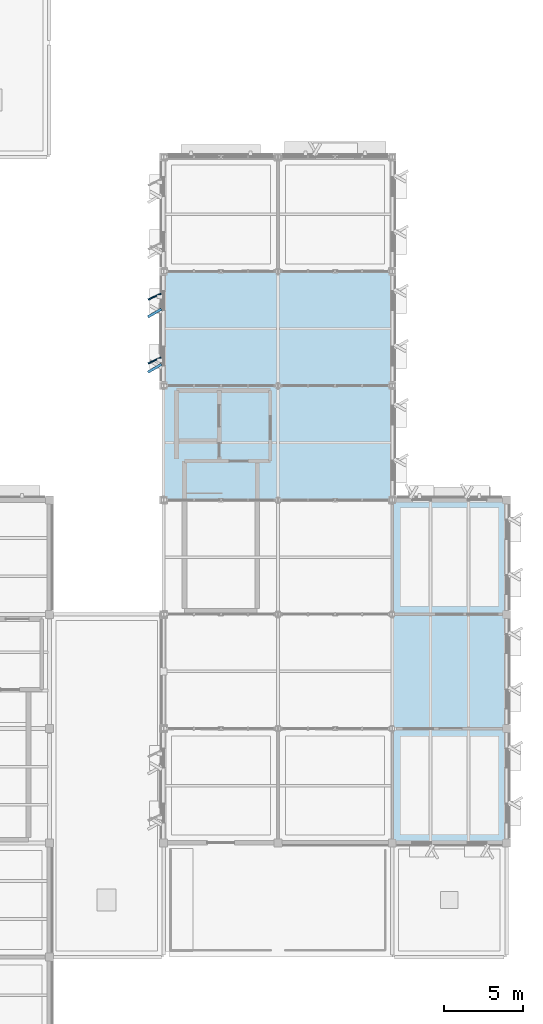
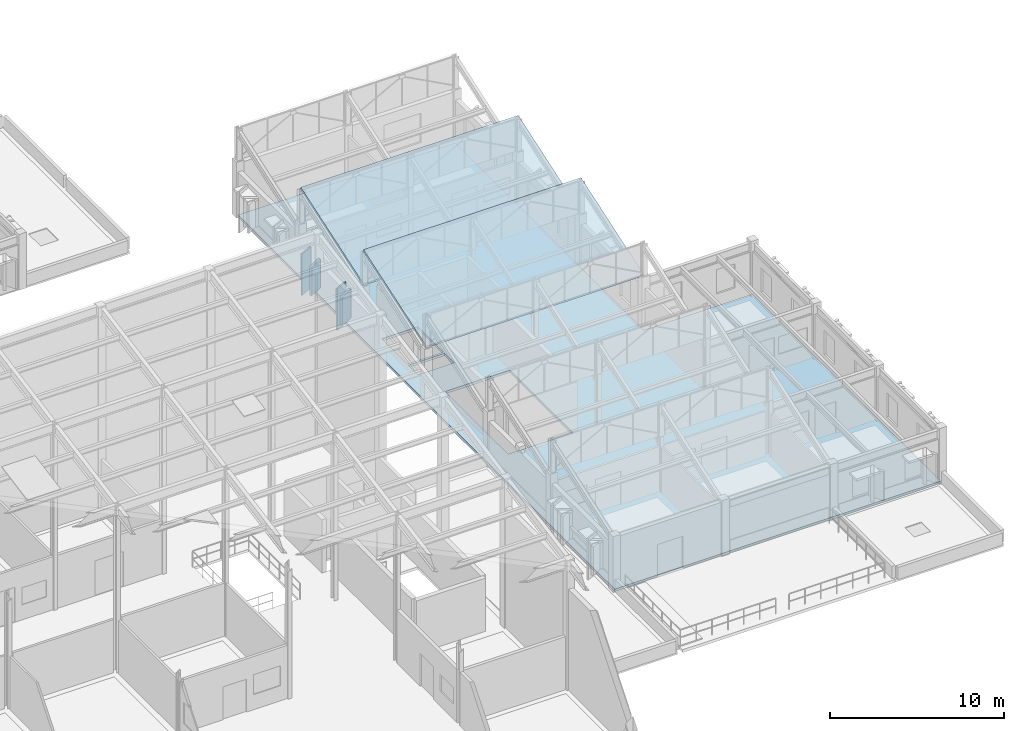
# One storey, part 24 of 82: 4 plates, 3 slabs.
"""IFC4 building model written with IfcOpenShell, lengths in metres."""

from ifc_helpers import new_model, si_unit, direction, frame, origin, origin_2d, place, context, subcontext, project, spatial, polyline, rectangle, outline, extrude, material, layer, layer_set, type_object, element, save


model = new_model("IFC4")

# Units and contexts
model_context = context("Model", 3, precision=1e-05, world=origin(), true_north=direction((0.0, 1.0)))
body_context = subcontext(model_context, "Body", "Model", "MODEL_VIEW")
ifc_project = project(units=[si_unit("LENGTHUNIT", "METRE"), si_unit("AREAUNIT", "SQUARE_METRE"), si_unit("VOLUMEUNIT", "CUBIC_METRE"), si_unit("PLANEANGLEUNIT", "RADIAN"), si_unit("MASSUNIT", "GRAM", prefix="KILO")], contexts=[model_context])

# Site, building, storey
site_placement = place(None, origin())
site = spatial("IfcSite", under=ifc_project, at=site_placement, CompositionType="ELEMENT")
building_placement = place(site_placement, origin())
building = spatial("IfcBuilding", under=site, at=building_placement, Name="Sillqori Civic Hall", CompositionType="ELEMENT")
storey_placement = place(building_placement, frame((0.0, 0.0, 14.10009765625)))
storey = spatial("IfcBuildingStorey", under=building, at=storey_placement, Name="L04", CompositionType="ELEMENT", Elevation=14.10009765625)

# Plates
ifc_material_1 = material(Name="Precast concrete C40/50 (H40)", Category="concrete")
ifc_layer_1 = layer(ifc_material_1, 0.159912109375)
ifc_layer_set_1 = layer_set([ifc_layer_1], Name="Precast concrete C40/50 (H40)")
plate_type_1 = type_object("IfcPlateType", Name="FIN-WEST-350", PredefinedType="USERDEFINED", material=ifc_layer_set_1)
for number, where, z_axis, x_axis, name in (
    (1, (121.824951171875, 66.389892578125, 0.14990234375), (0.0, 0.0, 1.0), (-0.422618261741, 0.906307787037, 0.0), "L04 west brise-soleil fin L04-17-09-W.1"),
    (2, (121.824951171875, 70.409912109375, 0.14990234375), (0.0, 0.0, 1.0), (-0.422618261741, 0.906307787037, 0.0), "L04 west brise-soleil fin L04-17-09-W.2"),
):
    element("IfcPlate", number, at=place(storey_placement, frame(where, z_axis=z_axis, x_axis=x_axis)), inside=storey, type_object=plate_type_1, Name=name, ObjectType="SOLAR_FIN", PredefinedType="USERDEFINED", context=body_context, shape_type="SweptSolid", body=[
        extrude(rectangle(XDim=0.090087890625, YDim=0.8798828125, at=origin_2d()), origin(), (0.0, 0.0, 1.0), 2.89990234375),
    ])
ifc_layer_2 = layer(ifc_material_1, 0.159912109375)
ifc_layer_set_2 = layer_set([ifc_layer_2], Name="Precast concrete C40/50 (H40)")
plate_type_2 = type_object("IfcPlateType", Name="REV-SAW-200", PredefinedType="USERDEFINED", material=ifc_layer_set_2)
for number, where, z_axis, x_axis, name in (
    (3, (121.830078125, 65.89794921875, 0.7998046875), (0.0, 0.0, 1.0), (-0.5, 0.866025403784, 0.0), "Sawtooth stone window reveal L04-17-09-W.1"),
    (4, (121.830078125, 69.382080078125, 0.7998046875), (0.0, 0.0, 1.0), (-0.5, 0.866025403784, 0.0), "Sawtooth stone window reveal L04-17-09-W.2"),
):
    element("IfcPlate", number, at=place(storey_placement, frame(where, z_axis=z_axis, x_axis=x_axis)), inside=storey, type_object=plate_type_2, Name=name, ObjectType="REVEAL_PANEL", PredefinedType="USERDEFINED", context=body_context, shape_type="SweptSolid", body=[
        extrude(rectangle(XDim=0.159912109375, YDim=0.97998046875, at=origin_2d()), origin(), (0.0, 0.0, 1.0), 2.0),
    ])

# Slabs
ifc_material_2 = material(Name="Concrete C30/37 (H30)", Category="concrete")
ifc_layer_3 = layer(ifc_material_2, 0.179931640625)
ifc_layer_set_3 = layer_set([ifc_layer_3], Name="Concrete C30/37 (H30)")
slab_type_1 = type_object("IfcSlabType", Name="SLB-CLER-180", PredefinedType="ROOF", material=ifc_layer_set_3)
for number, where, z_axis, x_axis, name in (
    (5, (122.39990234375, 57.60009765625, 3.89990234375), (0.0, -0.316218115397, 0.948686514869), (1.0, 0.0, 0.0), "Library folded north-light clerestory roof bay 8"),
    (6, (122.39990234375, 64.800048828125, 3.89990234375), (0.0, -0.316218115397, 0.948686514869), (1.0, 0.0, 0.0), "Library folded north-light clerestory roof bay 9"),
):
    element("IfcSlab", number, at=place(storey_placement, frame(where, z_axis=z_axis, x_axis=x_axis)), inside=storey, type_object=slab_type_1, Name=name, PredefinedType="ROOF", context=body_context, shape_type="SweptSolid", body=[
        extrude(outline(polyline([(0.0, 0.0), (14.400146484375, 0.0), (14.400146484375, 7.589389180752357), (0.0, 7.589389180752357), (0.0, 0.0)])), origin(), (0.0, 0.0, -1.0), 0.179931640625),
    ])
ifc_layer_4 = layer(ifc_material_2, 0.179931640625)
ifc_layer_set_4 = layer_set([ifc_layer_4], Name="Concrete C30/37 (H30)")
slab_type_2 = type_object("IfcSlabType", Name="SLB-FLR-180", PredefinedType="FLOOR", material=ifc_layer_set_4)
slab_placement = place(storey_placement, frame((0.0, 0.0, -0.18017578125)))
element("IfcSlab", 7, at=slab_placement, inside=storey, type_object=slab_type_2, Name="L04 V3 composite floor slab 3.1", PredefinedType="FLOOR", context=body_context, shape_type="SweptSolid", body=[
    extrude(outline(polyline([(122.39990234375, 50.39990234375), (122.39990234375, 57.60009765625), (122.39990234375, 64.800048828125), (122.39990234375, 72.0), (122.39990234375, 79.199951171875), (129.60009765625, 79.199951171875), (136.800048828125, 79.199951171875), (136.800048828125, 72.0), (136.800048828125, 64.800048828125), (136.800048828125, 57.60009765625), (144.0, 57.60009765625), (144.0, 50.39990234375), (144.0, 43.199951171875), (144.0, 36.0), (136.800048828125, 36.0), (129.60009765625, 36.0), (122.39990234375, 36.0), (122.39990234375, 43.199951171875), (122.39990234375, 50.39990234375)]), holes=[polyline([(128.139892578125, 50.75), (128.139892578125, 57.969970703125), (123.860107421875, 57.969970703125), (123.860107421875, 50.75), (128.139892578125, 50.75)]), polyline([(125.75, 60.199951171875), (125.75, 61.300048828125), (123.35009765625, 61.300048828125), (123.35009765625, 60.199951171875), (125.75, 60.199951171875)]), polyline([(125.75, 64.35009765625), (123.35009765625, 64.35009765625), (123.35009765625, 61.449951171875), (125.75, 61.449951171875), (125.75, 64.35009765625)])]), origin(), (0.0, 0.0, 1.0), 0.18017578125),
])

save(model, "model.ifc")
